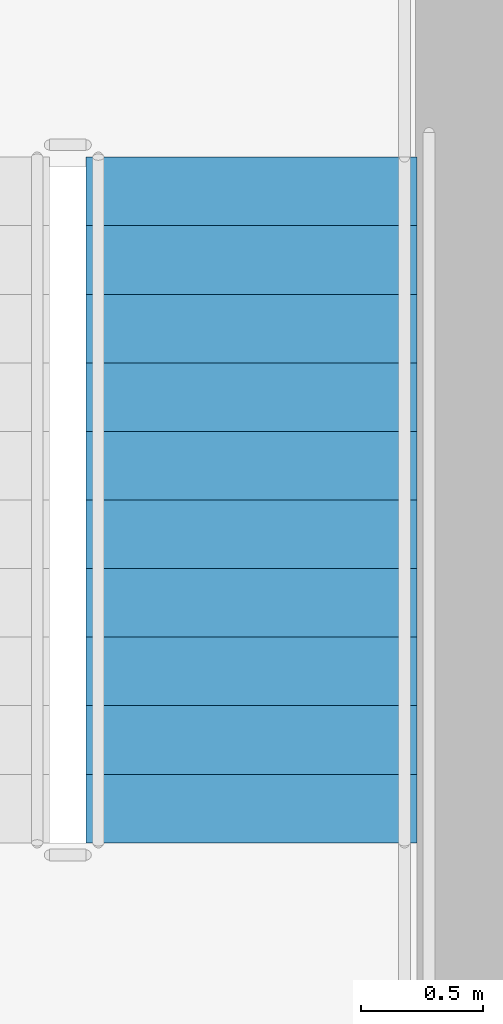
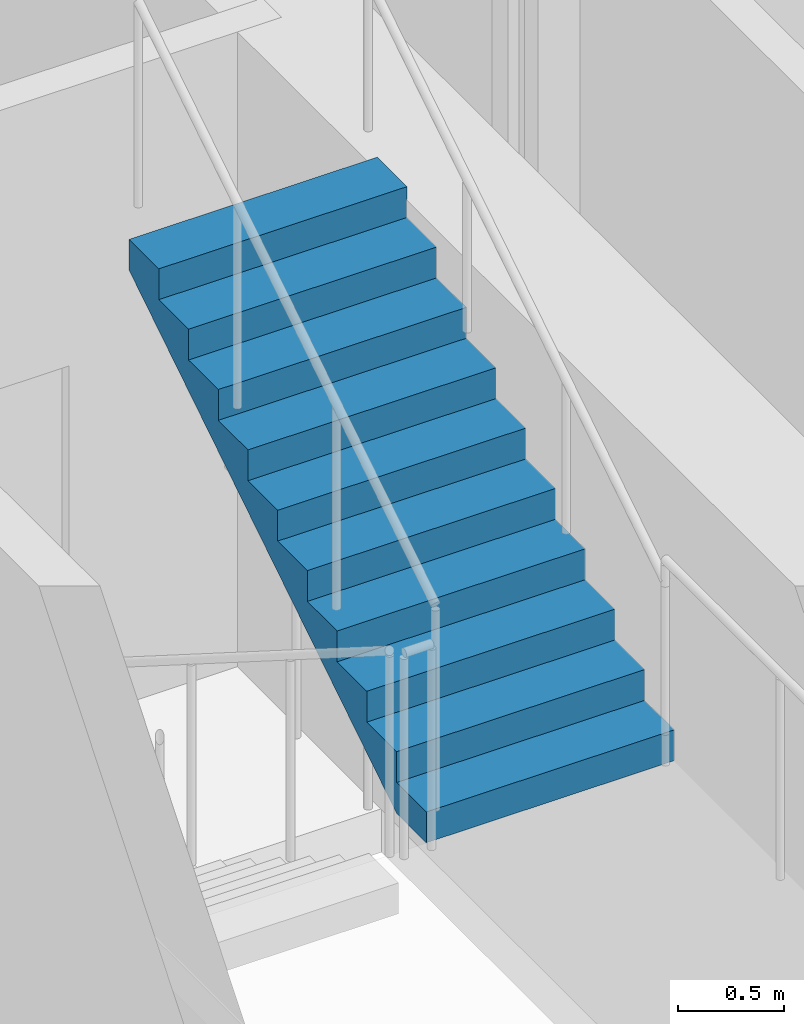
# One storey, part 10 of 15: 1 stair flight, 1 element without a shape of its own.
"""IFC4 building model written with IfcOpenShell, lengths in metres."""

from ifc_helpers import new_model, si_unit, direction, frame, origin, place, context, subcontext, project, spatial, polyline, outline, extrude, material, type_object, element, aggregate, save


model = new_model("IFC4")

# Units and contexts
model_context = context("Model", 3, precision=1e-05, world=origin(), true_north=direction((0.0, 1.0)))
body_context = subcontext(model_context, "Body", "Model", "MODEL_VIEW")
ifc_project = project(units=[si_unit("LENGTHUNIT", "METRE"), si_unit("AREAUNIT", "SQUARE_METRE"), si_unit("VOLUMEUNIT", "CUBIC_METRE"), si_unit("PLANEANGLEUNIT", "RADIAN"), si_unit("MASSUNIT", "GRAM", prefix="KILO")], contexts=[model_context])

# Site, building, storey
site_placement = place(None, origin())
site = spatial("IfcSite", under=ifc_project, at=site_placement, CompositionType="ELEMENT")
building_placement = place(site_placement, origin())
building = spatial("IfcBuilding", under=site, at=building_placement, Name="Voryun Gate Residences", CompositionType="ELEMENT")
storey_placement = place(building_placement, frame((0.0, 0.0, 231.39990234375)))
storey = spatial("IfcBuildingStorey", under=building, at=storey_placement, Name="L57", CompositionType="ELEMENT", Elevation=231.39990234375)

# Stair, stair flight
ifc_material_1 = material(Name="Concrete C40/50", Category="concrete")
stair_type = type_object("IfcStairType", Name="STR_CORE_DOGLEG_1350", PredefinedType="HALF_TURN_STAIR", material=ifc_material_1)
stair_placement = place(storey_placement, origin())
stair = element("IfcStair", 1, at=stair_placement, inside=storey, type_object=stair_type, Name="L57 Special Escape Stair ST-E1", PredefinedType="HALF_TURN_STAIR")
ifc_material_2 = material(Name="Concrete C40/50", Category="concrete")
stair_flight_type = type_object("IfcStairFlightType", Name="FLT_CORE_1350", PredefinedType="STRAIGHT", material=ifc_material_2)
stair_flight_placement = place(storey_placement, frame((18.14990234375, -3.60009765625, 1.9501953125), z_axis=(0.0, 0.0, 1.0), x_axis=(0.0, 1.0, 0.0)))
stair_flight = element("IfcStairFlight", 2, at=stair_flight_placement, type_object=stair_flight_type, Name="ST-E1 flight 2", NumberOfRisers=11, NumberOfTreads=10, PredefinedType="STRAIGHT", RiserHeight=0.177272727, TreadLength=0.28, context=body_context, shape_type="SweptSolid", body=[
    extrude(outline(polyline([(0.0, 0.0), (0.0, 0.17724609375), (0.280029296875, 0.17724609375), (0.280029296875, 0.3544921875), (0.56005859375, 0.3544921875), (0.56005859375, 0.53173828125), (0.840087890625, 0.53173828125), (0.840087890625, 0.708984375), (1.1201171875, 0.708984375), (1.1201171875, 0.886474609375), (1.39990234375, 0.886474609375), (1.39990234375, 1.063720703125), (1.679931640625, 1.063720703125), (1.679931640625, 1.240966796875), (1.9599609375, 1.240966796875), (1.9599609375, 1.418212890625), (2.239990234375, 1.418212890625), (2.239990234375, 1.595458984375), (2.52001953125, 1.595458984375), (2.52001953125, 1.772705078125), (2.800048828125, 1.772705078125), (2.800048828125, 1.949951171875), (2.800048828125, 1.59521484375), (0.2802734375, 0.0), (0.0, 0.0)])), frame((0.0, 0.675048828125, 0.0), z_axis=(0.0, -1.0, 0.0), x_axis=(1.0, 0.0, 0.0)), (0.0, 0.0, 1.0), 1.35009765625),
])
aggregate(stair, [stair_flight])

save(model, "model.ifc")
